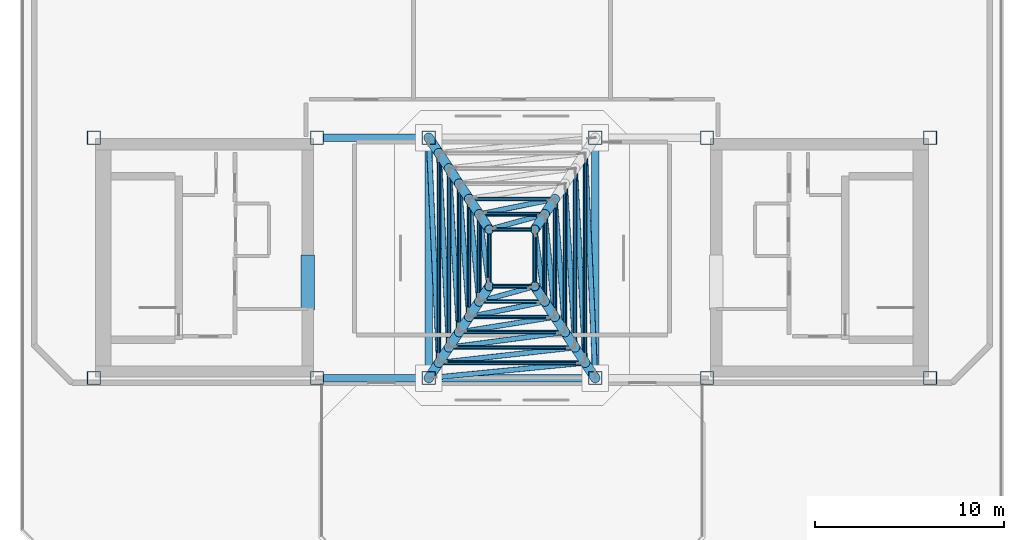
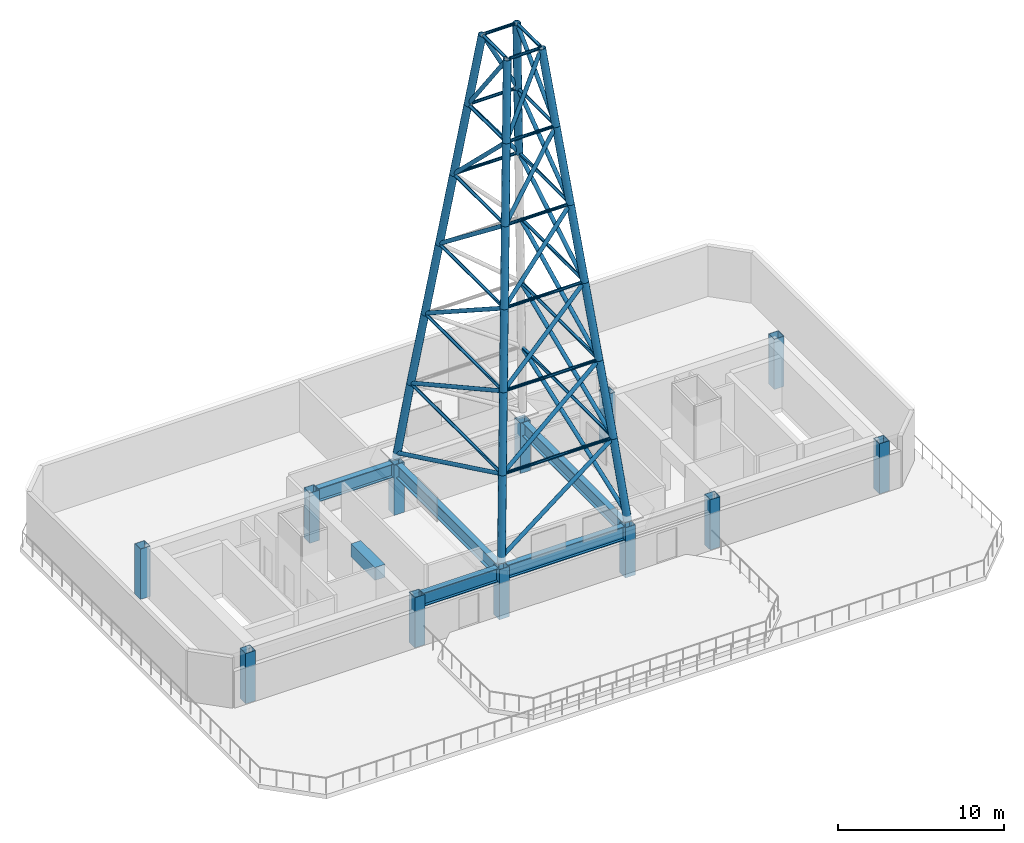
# One storey, part 1 of 7: 61 members, 12 columns, 6 beams.
"""IFC4 building model written with IfcOpenShell, lengths in metres."""

from ifc_helpers import new_model, si_unit, direction, frame, origin, origin_2d, place, context, subcontext, project, spatial, rectangle, hollow_rectangle, hollow_circle, i_section, extrude, material, material_profile, profile_set, type_object, element, save


model = new_model("IFC4")

# Units and contexts
model_context = context("Model", 3, precision=1e-05, world=origin(), true_north=direction((0.0, 1.0)))
body_context = subcontext(model_context, "Body", "Model", "MODEL_VIEW")
ifc_project = project(units=[si_unit("LENGTHUNIT", "METRE"), si_unit("AREAUNIT", "SQUARE_METRE"), si_unit("VOLUMEUNIT", "CUBIC_METRE"), si_unit("PLANEANGLEUNIT", "RADIAN"), si_unit("MASSUNIT", "GRAM", prefix="KILO")], contexts=[model_context])

# Site, building, storey
site_placement = place(None, origin())
site = spatial("IfcSite", under=ifc_project, at=site_placement, CompositionType="ELEMENT")
building_placement = place(site_placement, origin())
building = spatial("IfcBuilding", under=site, at=building_placement, Name="Tavrogorsk Clinical Tower", CompositionType="ELEMENT")
storey_placement = place(building_placement, frame((0.0, 0.0, 357.0)))
storey = spatial("IfcBuildingStorey", under=building, at=storey_placement, Name="L83", CompositionType="ELEMENT", Elevation=357.0)

# Columns
ifc_material_1 = material(Name="Structural steel S440", Category="steel")
ifc_material_profile_1 = material_profile(ifc_material_1, hollow_rectangle(XDim=0.699951171875, YDim=0.699951171875, WallThickness=0.031982421875, at=origin_2d()), Name="BOX-700x700x32")
ifc_profile_set_1 = profile_set([ifc_material_profile_1], Name="Structural steel S440")
column_type = type_object("IfcColumnType", Name="MegaCol_BOX700", PredefinedType="COLUMN", material=ifc_profile_set_1)
for number, where, z_axis, x_axis, name in (
    (1, (-22.10009765625, -6.35009765625, 0.0), (0.0, 0.0, 1.0), (1.0, 0.0, 0.0), "L83 Mega Column MC-W1"),
    (2, (-22.10009765625, 6.35009765625, 0.0), (0.0, 0.0, 1.0), (1.0, 0.0, 0.0), "L83 Mega Column MC-W2"),
    (3, (-10.300048828125, -6.35009765625, 0.0), (0.0, 0.0, 1.0), (1.0, 0.0, 0.0), "L83 Mega Column MC-W3"),
    (4, (-10.300048828125, 6.35009765625, 0.0), (0.0, 0.0, 1.0), (1.0, 0.0, 0.0), "L83 Mega Column MC-W4"),
    (5, (10.300048828125, -6.35009765625, 0.0), (0.0, 0.0, 1.0), (1.0, 0.0, 0.0), "L83 Mega Column MC-E1"),
    (6, (10.300048828125, 6.35009765625, 0.0), (0.0, 0.0, 1.0), (1.0, 0.0, 0.0), "L83 Mega Column MC-E2"),
    (7, (22.10009765625, -6.35009765625, 0.0), (0.0, 0.0, 1.0), (1.0, 0.0, 0.0), "L83 Mega Column MC-E3"),
    (8, (22.10009765625, 6.35009765625, 0.0), (0.0, 0.0, 1.0), (1.0, 0.0, 0.0), "L83 Mega Column MC-E4"),
    (9, (-4.39990234375, -6.35009765625, 0.0), (0.0, 0.0, 1.0), (1.0, 0.0, 0.0), "L83 Mega Column MC-C1"),
    (10, (4.39990234375, -6.35009765625, 0.0), (0.0, 0.0, 1.0), (1.0, 0.0, 0.0), "L83 Mega Column MC-C2"),
    (11, (-4.39990234375, 6.35009765625, 0.0), (0.0, 0.0, 1.0), (1.0, 0.0, 0.0), "L83 Mega Column MC-C3"),
    (12, (4.39990234375, 6.35009765625, 0.0), (0.0, 0.0, 1.0), (1.0, 0.0, 0.0), "L83 Mega Column MC-C4"),
):
    element("IfcColumn", number, at=place(storey_placement, frame(where, z_axis=z_axis, x_axis=x_axis)), inside=storey, type_object=column_type, Name=name, PredefinedType="COLUMN", context=body_context, shape_type="SweptSolid", body=[
        extrude(hollow_rectangle(XDim=0.699951171875, YDim=0.699951171875, WallThickness=0.031982421875, at=origin_2d()), origin(), (0.0, 0.0, 1.0), 3.699951171875),
    ])

# Beam
ifc_material_2 = material(Name="Concrete B80", Category="concrete")
ifc_material_profile_2 = material_profile(ifc_material_2, rectangle(XDim=0.699951171875, YDim=0.949951171875, at=origin_2d()), Name="RC-CB-700x950")
ifc_profile_set_2 = profile_set([ifc_material_profile_2], Name="Concrete B80")
beam_type_1 = type_object("IfcBeamType", Name="CouplingBeam_RC700x950", PredefinedType="LINTEL", material=ifc_profile_set_2)
beam_1_placement = place(storey_placement, frame((-10.800048828125, -2.75, 3.22509765625), z_axis=(0.0, 1.0, 0.0), x_axis=(-1.0, 0.0, 0.0)))
element("IfcBeam", 13, at=beam_1_placement, inside=storey, type_object=beam_type_1, Name="L83 Core West Coupling Beam", PredefinedType="LINTEL", context=body_context, shape_type="SweptSolid", body=[
    extrude(rectangle(XDim=0.699951171875, YDim=0.949951171875, at=origin_2d()), origin(), (0.0, 0.0, 1.0), 2.89990234375),
])

# Members
ifc_material_3 = material(Name="Structural steel S440", Category="steel")
ifc_material_profile_3 = material_profile(ifc_material_3, hollow_circle(Radius=0.136474609375, WallThickness=0.012451171875, at=origin_2d()), Name="CHS-273x12.5")
ifc_profile_set_3 = profile_set([ifc_material_profile_3], Name="Structural steel S440")
member_type_1 = type_object("IfcMemberType", Name="MastBrace_CHS273_MAST", PredefinedType="USERDEFINED", material=ifc_profile_set_3)
member_1_placement = place(storey_placement, frame((-4.2001953125, -6.33056640625, 4.431640625), z_axis=(0.832431285914, 0.081398677443, 0.54811714947), x_axis=(-0.097320091354, 0.995253133539, 0.0)))
element("IfcMember", 14, at=member_1_placement, inside=storey, type_object=member_type_1, Name="Broadcast Mast Diagonal Brace Tier 1 Face 1", ObjectType="MAST", PredefinedType="USERDEFINED", context=body_context, shape_type="SweptSolid", body=[
    extrude(hollow_circle(Radius=0.136474609375, WallThickness=0.012451171875, at=origin_2d()), origin(), (0.0, 0.0, 1.0), 9.450927734375),
])
for number, where, z_axis, x_axis, name in (
    (15, (4.39013671875, -6.132080078125, 4.39990234375), (-0.040737425965, 0.908518174211, 0.415854769425), (-0.998996226674, -0.044794409158, 0.0), "Broadcast Mast Diagonal Brace Tier 1 Face 2"),
    (16, (-4.39013671875, 6.132080078125, 4.39990234375), (0.040737425965, -0.908518174211, 0.415854769425), (0.998996226674, 0.044794409158, 0.0), "Broadcast Mast Diagonal Brace Tier 1 Face 4"),
):
    element("IfcMember", number, at=place(storey_placement, frame(where, z_axis=z_axis, x_axis=x_axis)), inside=storey, type_object=member_type_1, Name=name, ObjectType="MAST", PredefinedType="USERDEFINED", context=body_context, shape_type="SweptSolid", body=[
        extrude(hollow_circle(Radius=0.136474609375, WallThickness=0.012451171875, at=origin_2d()), origin(), (0.0, 0.0, 1.0), 12.609375),
    ])
member_2_placement = place(storey_placement, frame((-3.676025390625, -5.520263671875, 9.887451171875), z_axis=(0.794506902152, 0.089210986614, 0.600666448456), x_axis=(-0.111583510671, 0.993755060438, 0.0)))
element("IfcMember", 17, at=member_2_placement, inside=storey, type_object=member_type_1, Name="Broadcast Mast Diagonal Brace Tier 2 Face 1", ObjectType="MAST", PredefinedType="USERDEFINED", context=body_context, shape_type="SweptSolid", body=[
    extrude(hollow_circle(Radius=0.136474609375, WallThickness=0.012451171875, at=origin_2d()), origin(), (0.0, 0.0, 1.0), 8.582275390625),
])
for number, where, z_axis, x_axis, name in (
    (18, (3.855712890625, -5.329833984375, 9.85546875), (-0.045830620376, 0.882726187495, 0.467647337367), (-0.998654906369, -0.051849570738, 0.0), "Broadcast Mast Diagonal Brace Tier 2 Face 2"),
    (19, (-3.855712890625, 5.329833984375, 9.85546875), (0.045830620376, -0.882726187495, 0.467647337367), (0.998654906369, 0.051849570738, 0.0), "Broadcast Mast Diagonal Brace Tier 2 Face 4"),
):
    element("IfcMember", number, at=place(storey_placement, frame(where, z_axis=z_axis, x_axis=x_axis)), inside=storey, type_object=member_type_1, Name=name, ObjectType="MAST", PredefinedType="USERDEFINED", context=body_context, shape_type="SweptSolid", body=[
        extrude(hollow_circle(Radius=0.136474609375, WallThickness=0.012451171875, at=origin_2d()), origin(), (0.0, 0.0, 1.0), 11.16015625),
    ])
member_3_placement = place(storey_placement, frame((-3.154541015625, -4.709716796875, 15.34521484375), z_axis=(0.744309424169, 0.09809606833, 0.660591131088), x_axis=(-0.130664812929, 0.991426601752, 0.0)))
element("IfcMember", 20, at=member_3_placement, inside=storey, type_object=member_type_1, Name="Broadcast Mast Diagonal Brace Tier 3 Face 1", ObjectType="MAST", PredefinedType="USERDEFINED", context=body_context, shape_type="SweptSolid", body=[
    extrude(hollow_circle(Radius=0.136474609375, WallThickness=0.012451171875, at=origin_2d()), origin(), (0.0, 0.0, 1.0), 7.760009765625),
])
for number, where, z_axis, x_axis, name in (
    (21, (3.32080078125, -4.5302734375, 15.314208984375), (-0.052074172436, 0.84544244798, 0.53152172836), (-0.998108470681, -0.061477481686, 0.0), "Broadcast Mast Diagonal Brace Tier 3 Face 2"),
    (22, (-3.32080078125, 4.5302734375, 15.314208984375), (0.052074172436, -0.84544244798, 0.53152172836), (0.998108470681, 0.061477481686, 0.0), "Broadcast Mast Diagonal Brace Tier 3 Face 4"),
):
    element("IfcMember", number, at=place(storey_placement, frame(where, z_axis=z_axis, x_axis=x_axis)), inside=storey, type_object=member_type_1, Name=name, ObjectType="MAST", PredefinedType="USERDEFINED", context=body_context, shape_type="SweptSolid", body=[
        extrude(hollow_circle(Radius=0.136474609375, WallThickness=0.012451171875, at=origin_2d()), origin(), (0.0, 0.0, 1.0), 9.760986328125),
    ])
member_4_placement = place(storey_placement, frame((-2.637451171875, -3.899169921875, 20.8046875), z_axis=(0.677351605092, 0.108079117711, 0.727676925149), x_axis=(-0.157568101825, 0.98750812315, 0.0)))
element("IfcMember", 23, at=member_4_placement, inside=storey, type_object=member_type_1, Name="Broadcast Mast Diagonal Brace Tier 4 Face 1", ObjectType="MAST", PredefinedType="USERDEFINED", context=body_context, shape_type="SweptSolid", body=[
    extrude(hollow_circle(Radius=0.136474609375, WallThickness=0.012451171875, at=origin_2d()), origin(), (0.0, 0.0, 1.0), 7.000244140625),
])
for number, where, z_axis, x_axis, name in (
    (24, (2.78564453125, -3.7353515625, 20.776611328125), (-0.059818493812, 0.789766181007, 0.610484338158), (-0.997143855549, -0.075525699869, 0.0), "Broadcast Mast Diagonal Brace Tier 4 Face 2"),
    (25, (-2.78564453125, 3.7353515625, 20.776611328125), (0.059818493812, -0.789766181007, 0.610484338158), (0.997143855549, 0.075525699869, 0.0), "Broadcast Mast Diagonal Brace Tier 4 Face 4"),
):
    element("IfcMember", number, at=place(storey_placement, frame(where, z_axis=z_axis, x_axis=x_axis)), inside=storey, type_object=member_type_1, Name=name, ObjectType="MAST", PredefinedType="USERDEFINED", context=body_context, shape_type="SweptSolid", body=[
        extrude(hollow_circle(Radius=0.136474609375, WallThickness=0.012451171875, at=origin_2d()), origin(), (0.0, 0.0, 1.0), 8.436279296875),
    ])
member_5_placement = place(storey_placement, frame((-2.12548828125, -3.088134765625, 26.265380859375), z_axis=(0.587956892562, 0.118803740374, 0.800120218319), x_axis=(-0.198059156867, 0.980190068498, 0.0)))
element("IfcMember", 26, at=member_5_placement, inside=storey, type_object=member_type_1, Name="Broadcast Mast Diagonal Brace Tier 5 Face 1", ObjectType="MAST", PredefinedType="USERDEFINED", context=body_context, shape_type="SweptSolid", body=[
    extrude(hollow_circle(Radius=0.136474609375, WallThickness=0.012451171875, at=origin_2d()), origin(), (0.0, 0.0, 1.0), 6.3232421875),
])
member_6_placement = place(storey_placement, frame((2.25, -2.94775390625, 26.242919921875), z_axis=(-0.069216152132, 0.704227032213, 0.706592818662), x_axis=(-0.995204578138, -0.097815375343, 0.0)))
element("IfcMember", 27, at=member_6_placement, inside=storey, type_object=member_type_1, Name="Broadcast Mast Diagonal Brace Tier 5 Face 2", ObjectType="MAST", PredefinedType="USERDEFINED", context=body_context, shape_type="SweptSolid", body=[
    extrude(hollow_circle(Radius=0.136474609375, WallThickness=0.012451171875, at=origin_2d()), origin(), (0.0, 0.0, 1.0), 7.2236328125),
])
member_7_placement = place(storey_placement, frame((2.12548828125, 3.088134765625, 26.265380859375), z_axis=(-0.587956892562, -0.118803740374, 0.800120218319), x_axis=(0.198059156867, -0.980190068498, 0.0)))
element("IfcMember", 28, at=member_7_placement, inside=storey, type_object=member_type_1, Name="Broadcast Mast Diagonal Brace Tier 5 Face 3", ObjectType="MAST", PredefinedType="USERDEFINED", context=body_context, shape_type="SweptSolid", body=[
    extrude(hollow_circle(Radius=0.136474609375, WallThickness=0.012451171875, at=origin_2d()), origin(), (0.0, 0.0, 1.0), 6.3232421875),
])
member_8_placement = place(storey_placement, frame((-2.25, 2.94775390625, 26.242919921875), z_axis=(0.069216152132, -0.704227032213, 0.706592818662), x_axis=(0.995204578138, 0.097815375343, 0.0)))
element("IfcMember", 29, at=member_8_placement, inside=storey, type_object=member_type_1, Name="Broadcast Mast Diagonal Brace Tier 5 Face 4", ObjectType="MAST", PredefinedType="USERDEFINED", context=body_context, shape_type="SweptSolid", body=[
    extrude(hollow_circle(Radius=0.136474609375, WallThickness=0.012451171875, at=origin_2d()), origin(), (0.0, 0.0, 1.0), 7.2236328125),
])
member_9_placement = place(storey_placement, frame((-1.620361328125, -2.277099609375, 31.72607421875), z_axis=(0.470378447317, 0.129619164563, 0.87289345769), x_axis=(-0.265661566572, 0.964066352513, 0.0)))
element("IfcMember", 30, at=member_9_placement, inside=storey, type_object=member_type_1, Name="Broadcast Mast Diagonal Brace Tier 6 Face 1", ObjectType="MAST", PredefinedType="USERDEFINED", context=body_context, shape_type="SweptSolid", body=[
    extrude(hollow_circle(Radius=0.136474609375, WallThickness=0.012451171875, at=origin_2d()), origin(), (0.0, 0.0, 1.0), 5.756103515625),
])
member_10_placement = place(storey_placement, frame((1.714111328125, -2.171142578125, 31.712646484375), z_axis=(-0.080017354995, 0.571411550843, 0.816753366974), x_axis=(-0.990337048975, -0.13868139539, 0.0)))
element("IfcMember", 31, at=member_10_placement, inside=storey, type_object=member_type_1, Name="Broadcast Mast Diagonal Brace Tier 6 Face 2", ObjectType="MAST", PredefinedType="USERDEFINED", context=body_context, shape_type="SweptSolid", body=[
    extrude(hollow_circle(Radius=0.136474609375, WallThickness=0.012451171875, at=origin_2d()), origin(), (0.0, 0.0, 1.0), 6.1845703125),
])
member_11_placement = place(storey_placement, frame((1.620361328125, 2.277099609375, 31.72607421875), z_axis=(-0.470378447317, -0.129619164563, 0.87289345769), x_axis=(0.265661566572, -0.964066352513, 0.0)))
element("IfcMember", 32, at=member_11_placement, inside=storey, type_object=member_type_1, Name="Broadcast Mast Diagonal Brace Tier 6 Face 3", ObjectType="MAST", PredefinedType="USERDEFINED", context=body_context, shape_type="SweptSolid", body=[
    extrude(hollow_circle(Radius=0.136474609375, WallThickness=0.012451171875, at=origin_2d()), origin(), (0.0, 0.0, 1.0), 5.756103515625),
])
member_12_placement = place(storey_placement, frame((-1.714111328125, 2.171142578125, 31.712646484375), z_axis=(0.080017354995, -0.571411550843, 0.816753366974), x_axis=(0.990337048975, 0.13868139539, 0.0)))
element("IfcMember", 33, at=member_12_placement, inside=storey, type_object=member_type_1, Name="Broadcast Mast Diagonal Brace Tier 6 Face 4", ObjectType="MAST", PredefinedType="USERDEFINED", context=body_context, shape_type="SweptSolid", body=[
    extrude(hollow_circle(Radius=0.136474609375, WallThickness=0.012451171875, at=origin_2d()), origin(), (0.0, 0.0, 1.0), 6.1845703125),
])
ifc_material_4 = material(Name="Structural steel S440", Category="steel")
ifc_material_profile_4 = material_profile(ifc_material_4, hollow_circle(Radius=0.109619140625, WallThickness=0.010009765625, at=origin_2d()), Name="CHS-219.1x10")
ifc_profile_set_4 = profile_set([ifc_material_profile_4], Name="Structural steel S440")
member_type_2 = type_object("IfcMemberType", Name="MastGirt_CHS219_MAST", PredefinedType="USERDEFINED", material=ifc_profile_set_4)
member_13_placement = place(storey_placement, frame((-3.686767578125, -5.541748046875, 9.743408203125), z_axis=(1.0, 0.0, 0.0), x_axis=(0.0, 1.0, 0.0)))
element("IfcMember", 34, at=member_13_placement, inside=storey, type_object=member_type_2, Name="Broadcast Mast Ring Girt Tier 1 Face 1", ObjectType="MAST", PredefinedType="USERDEFINED", context=body_context, shape_type="SweptSolid", body=[
    extrude(hollow_circle(Radius=0.109619140625, WallThickness=0.010009765625, at=origin_2d()), origin(), (0.0, 0.0, 1.0), 7.37353515625),
])
for number, where, z_axis, x_axis, name in (
    (35, (3.86669921875, -5.36181640625, 9.743408203125), (0.0, 1.0, 0.0), (-1.0, 0.0, 0.0), "Broadcast Mast Ring Girt Tier 1 Face 2"),
    (36, (-3.86669921875, 5.36181640625, 9.743408203125), (0.0, -1.0, 0.0), (1.0, 0.0, 0.0), "Broadcast Mast Ring Girt Tier 1 Face 4"),
):
    element("IfcMember", number, at=place(storey_placement, frame(where, z_axis=z_axis, x_axis=x_axis)), inside=storey, type_object=member_type_2, Name=name, ObjectType="MAST", PredefinedType="USERDEFINED", context=body_context, shape_type="SweptSolid", body=[
        extrude(hollow_circle(Radius=0.109619140625, WallThickness=0.010009765625, at=origin_2d()), origin(), (0.0, 0.0, 1.0), 10.7236328125),
    ])
member_14_placement = place(storey_placement, frame((-3.1533203125, -4.7333984375, 15.186767578125), z_axis=(1.0, 0.0, 0.0), x_axis=(0.0, 1.0, 0.0)))
element("IfcMember", 37, at=member_14_placement, inside=storey, type_object=member_type_2, Name="Broadcast Mast Ring Girt Tier 2 Face 1", ObjectType="MAST", PredefinedType="USERDEFINED", context=body_context, shape_type="SweptSolid", body=[
    extrude(hollow_circle(Radius=0.109619140625, WallThickness=0.010009765625, at=origin_2d()), origin(), (0.0, 0.0, 1.0), 6.306640625),
])
for number, where, z_axis, x_axis, name in (
    (38, (3.333251953125, -4.55322265625, 15.186767578125), (0.0, 1.0, 0.0), (-1.0, 0.0, 0.0), "Broadcast Mast Ring Girt Tier 2 Face 2"),
    (39, (-3.333251953125, 4.55322265625, 15.186767578125), (0.0, -1.0, 0.0), (1.0, 0.0, 0.0), "Broadcast Mast Ring Girt Tier 2 Face 4"),
):
    element("IfcMember", number, at=place(storey_placement, frame(where, z_axis=z_axis, x_axis=x_axis)), inside=storey, type_object=member_type_2, Name=name, ObjectType="MAST", PredefinedType="USERDEFINED", context=body_context, shape_type="SweptSolid", body=[
        extrude(hollow_circle(Radius=0.109619140625, WallThickness=0.010009765625, at=origin_2d()), origin(), (0.0, 0.0, 1.0), 9.1064453125),
    ])
member_15_placement = place(storey_placement, frame((-2.6201171875, -3.925048828125, 20.6298828125), z_axis=(1.0, 0.0, 0.0), x_axis=(0.0, 1.0, 0.0)))
element("IfcMember", 40, at=member_15_placement, inside=storey, type_object=member_type_2, Name="Broadcast Mast Ring Girt Tier 3 Face 1", ObjectType="MAST", PredefinedType="USERDEFINED", context=body_context, shape_type="SweptSolid", body=[
    extrude(hollow_circle(Radius=0.109619140625, WallThickness=0.010009765625, at=origin_2d()), origin(), (0.0, 0.0, 1.0), 5.240234375),
])
for number, where, z_axis, x_axis, name in (
    (41, (2.800048828125, -3.7451171875, 20.6298828125), (0.0, 1.0, 0.0), (-1.0, 0.0, 0.0), "Broadcast Mast Ring Girt Tier 3 Face 2"),
    (42, (-2.800048828125, 3.7451171875, 20.6298828125), (0.0, -1.0, 0.0), (1.0, 0.0, 0.0), "Broadcast Mast Ring Girt Tier 3 Face 4"),
):
    element("IfcMember", number, at=place(storey_placement, frame(where, z_axis=z_axis, x_axis=x_axis)), inside=storey, type_object=member_type_2, Name=name, ObjectType="MAST", PredefinedType="USERDEFINED", context=body_context, shape_type="SweptSolid", body=[
        extrude(hollow_circle(Radius=0.109619140625, WallThickness=0.010009765625, at=origin_2d()), origin(), (0.0, 0.0, 1.0), 7.490234375),
    ])
member_16_placement = place(storey_placement, frame((-2.086669921875, -3.11669921875, 26.0732421875), z_axis=(1.0, 0.0, 0.0), x_axis=(0.0, 1.0, 0.0)))
element("IfcMember", 43, at=member_16_placement, inside=storey, type_object=member_type_2, Name="Broadcast Mast Ring Girt Tier 4 Face 1", ObjectType="MAST", PredefinedType="USERDEFINED", context=body_context, shape_type="SweptSolid", body=[
    extrude(hollow_circle(Radius=0.109619140625, WallThickness=0.010009765625, at=origin_2d()), origin(), (0.0, 0.0, 1.0), 4.17333984375),
])
member_17_placement = place(storey_placement, frame((2.2666015625, -2.936767578125, 26.0732421875), z_axis=(0.0, 1.0, 0.0), x_axis=(-1.0, 0.0, 0.0)))
element("IfcMember", 44, at=member_17_placement, inside=storey, type_object=member_type_2, Name="Broadcast Mast Ring Girt Tier 4 Face 2", ObjectType="MAST", PredefinedType="USERDEFINED", context=body_context, shape_type="SweptSolid", body=[
    extrude(hollow_circle(Radius=0.109619140625, WallThickness=0.010009765625, at=origin_2d()), origin(), (0.0, 0.0, 1.0), 5.87353515625),
])
member_18_placement = place(storey_placement, frame((2.086669921875, 3.11669921875, 26.0732421875), z_axis=(-1.0, 0.0, 0.0), x_axis=(0.0, -1.0, 0.0)))
element("IfcMember", 45, at=member_18_placement, inside=storey, type_object=member_type_2, Name="Broadcast Mast Ring Girt Tier 4 Face 3", ObjectType="MAST", PredefinedType="USERDEFINED", context=body_context, shape_type="SweptSolid", body=[
    extrude(hollow_circle(Radius=0.109619140625, WallThickness=0.010009765625, at=origin_2d()), origin(), (0.0, 0.0, 1.0), 4.17333984375),
])
member_19_placement = place(storey_placement, frame((-2.2666015625, 2.936767578125, 26.0732421875), z_axis=(0.0, -1.0, 0.0), x_axis=(1.0, 0.0, 0.0)))
element("IfcMember", 46, at=member_19_placement, inside=storey, type_object=member_type_2, Name="Broadcast Mast Ring Girt Tier 4 Face 4", ObjectType="MAST", PredefinedType="USERDEFINED", context=body_context, shape_type="SweptSolid", body=[
    extrude(hollow_circle(Radius=0.109619140625, WallThickness=0.010009765625, at=origin_2d()), origin(), (0.0, 0.0, 1.0), 5.87353515625),
])
member_20_placement = place(storey_placement, frame((-1.55322265625, -2.308349609375, 31.5166015625), z_axis=(1.0, 0.0, 0.0), x_axis=(0.0, 1.0, 0.0)))
element("IfcMember", 47, at=member_20_placement, inside=storey, type_object=member_type_2, Name="Broadcast Mast Ring Girt Tier 5 Face 1", ObjectType="MAST", PredefinedType="USERDEFINED", context=body_context, shape_type="SweptSolid", body=[
    extrude(hollow_circle(Radius=0.109619140625, WallThickness=0.010009765625, at=origin_2d()), origin(), (0.0, 0.0, 1.0), 3.1064453125),
])
member_21_placement = place(storey_placement, frame((1.7333984375, -2.12841796875, 31.5166015625), z_axis=(0.0, 1.0, 0.0), x_axis=(-1.0, 0.0, 0.0)))
element("IfcMember", 48, at=member_21_placement, inside=storey, type_object=member_type_2, Name="Broadcast Mast Ring Girt Tier 5 Face 2", ObjectType="MAST", PredefinedType="USERDEFINED", context=body_context, shape_type="SweptSolid", body=[
    extrude(hollow_circle(Radius=0.109619140625, WallThickness=0.010009765625, at=origin_2d()), origin(), (0.0, 0.0, 1.0), 4.2568359375),
])
member_22_placement = place(storey_placement, frame((1.55322265625, 2.308349609375, 31.5166015625), z_axis=(-1.0, 0.0, 0.0), x_axis=(0.0, -1.0, 0.0)))
element("IfcMember", 49, at=member_22_placement, inside=storey, type_object=member_type_2, Name="Broadcast Mast Ring Girt Tier 5 Face 3", ObjectType="MAST", PredefinedType="USERDEFINED", context=body_context, shape_type="SweptSolid", body=[
    extrude(hollow_circle(Radius=0.109619140625, WallThickness=0.010009765625, at=origin_2d()), origin(), (0.0, 0.0, 1.0), 3.1064453125),
])
member_23_placement = place(storey_placement, frame((-1.7333984375, 2.12841796875, 31.5166015625), z_axis=(0.0, -1.0, 0.0), x_axis=(1.0, 0.0, 0.0)))
element("IfcMember", 50, at=member_23_placement, inside=storey, type_object=member_type_2, Name="Broadcast Mast Ring Girt Tier 5 Face 4", ObjectType="MAST", PredefinedType="USERDEFINED", context=body_context, shape_type="SweptSolid", body=[
    extrude(hollow_circle(Radius=0.109619140625, WallThickness=0.010009765625, at=origin_2d()), origin(), (0.0, 0.0, 1.0), 4.2568359375),
])
member_24_placement = place(storey_placement, frame((-1.02001953125, -1.5, 36.9599609375), z_axis=(1.0, 0.0, 0.0), x_axis=(0.0, 1.0, 0.0)))
element("IfcMember", 51, at=member_24_placement, inside=storey, type_object=member_type_2, Name="Broadcast Mast Ring Girt Tier 6 Face 1", ObjectType="MAST", PredefinedType="USERDEFINED", context=body_context, shape_type="SweptSolid", body=[
    extrude(hollow_circle(Radius=0.109619140625, WallThickness=0.010009765625, at=origin_2d()), origin(), (0.0, 0.0, 1.0), 2.0400390625),
])
member_25_placement = place(storey_placement, frame((1.199951171875, -1.320068359375, 36.9599609375), z_axis=(0.0, 1.0, 0.0), x_axis=(-1.0, 0.0, 0.0)))
element("IfcMember", 52, at=member_25_placement, inside=storey, type_object=member_type_2, Name="Broadcast Mast Ring Girt Tier 6 Face 2", ObjectType="MAST", PredefinedType="USERDEFINED", context=body_context, shape_type="SweptSolid", body=[
    extrude(hollow_circle(Radius=0.109619140625, WallThickness=0.010009765625, at=origin_2d()), origin(), (0.0, 0.0, 1.0), 2.64013671875),
])
member_26_placement = place(storey_placement, frame((1.02001953125, 1.5, 36.9599609375), z_axis=(-1.0, 0.0, 0.0), x_axis=(0.0, -1.0, 0.0)))
element("IfcMember", 53, at=member_26_placement, inside=storey, type_object=member_type_2, Name="Broadcast Mast Ring Girt Tier 6 Face 3", ObjectType="MAST", PredefinedType="USERDEFINED", context=body_context, shape_type="SweptSolid", body=[
    extrude(hollow_circle(Radius=0.109619140625, WallThickness=0.010009765625, at=origin_2d()), origin(), (0.0, 0.0, 1.0), 2.0400390625),
])
member_27_placement = place(storey_placement, frame((-1.199951171875, 1.320068359375, 36.9599609375), z_axis=(0.0, -1.0, 0.0), x_axis=(1.0, 0.0, 0.0)))
element("IfcMember", 54, at=member_27_placement, inside=storey, type_object=member_type_2, Name="Broadcast Mast Ring Girt Tier 6 Face 4", ObjectType="MAST", PredefinedType="USERDEFINED", context=body_context, shape_type="SweptSolid", body=[
    extrude(hollow_circle(Radius=0.109619140625, WallThickness=0.010009765625, at=origin_2d()), origin(), (0.0, 0.0, 1.0), 2.64013671875),
])
ifc_material_5 = material(Name="Structural steel S440", Category="steel")
ifc_material_profile_5 = material_profile(ifc_material_5, hollow_circle(Radius=0.25390625, WallThickness=0.02001953125, at=origin_2d()), Name="CHS-508x20")
ifc_profile_set_5 = profile_set([ifc_material_profile_5], Name="Structural steel S440")
member_type_3 = type_object("IfcMemberType", Name="MastLeg_CHS508_MAST", PredefinedType="USERDEFINED", material=ifc_profile_set_5)
for number, where, z_axis, x_axis, name in (
    (55, (-4.39990234375, -6.35009765625, 3.9599609375), (0.090928887162, 0.137850524447, 0.986270333321), (-0.834755420347, 0.550620911518, 0.0), "Broadcast Mast Leg Tier 1 Leg 1"),
    (56, (4.39990234375, -6.35009765625, 3.9599609375), (-0.090928887162, 0.137850524447, 0.986270333321), (-0.834755420347, -0.550620911518, 0.0), "Broadcast Mast Leg Tier 1 Leg 2"),
    (57, (-4.39990234375, 6.35009765625, 3.9599609375), (0.090928887162, -0.137850524447, 0.986270333321), (0.834755420347, 0.550620911518, 0.0), "Broadcast Mast Leg Tier 1 Leg 4"),
):
    element("IfcMember", number, at=place(storey_placement, frame(where, z_axis=z_axis, x_axis=x_axis)), inside=storey, type_object=member_type_3, Name=name, ObjectType="MAST", PredefinedType="USERDEFINED", context=body_context, shape_type="SweptSolid", body=[
        extrude(hollow_circle(Radius=0.25390625, WallThickness=0.02001953125, at=origin_2d()), origin(), (0.0, 0.0, 1.0), 5.864013671875),
    ])
for number, where, z_axis, x_axis, name in (
    (58, (-3.86669921875, -5.541748046875, 9.723388671875), (0.096141591018, 0.14568641092, 0.984648294646), (-0.834639537011, 0.550796553419, 0.0), "Broadcast Mast Leg Tier 2 Leg 1"),
    (59, (3.86669921875, -5.541748046875, 9.723388671875), (-0.096141591018, 0.14568641092, 0.984648294646), (-0.834639537011, -0.550796553419, 0.0), "Broadcast Mast Leg Tier 2 Leg 2"),
    (60, (-3.86669921875, 5.541748046875, 9.723388671875), (0.096141591018, -0.14568641092, 0.984648294646), (0.834639537011, 0.550796553419, 0.0), "Broadcast Mast Leg Tier 2 Leg 4"),
):
    element("IfcMember", number, at=place(storey_placement, frame(where, z_axis=z_axis, x_axis=x_axis)), inside=storey, type_object=member_type_3, Name=name, ObjectType="MAST", PredefinedType="USERDEFINED", context=body_context, shape_type="SweptSolid", body=[
        extrude(hollow_circle(Radius=0.25390625, WallThickness=0.02001953125, at=origin_2d()), origin(), (0.0, 0.0, 1.0), 5.548583984375),
    ])
for number, where, z_axis, x_axis, name in (
    (61, (-3.333251953125, -4.7333984375, 15.166748046875), (0.096102160403, 0.145693339329, 0.984651118743), (-0.834755420347, 0.550620911518, 0.0), "Broadcast Mast Leg Tier 3 Leg 1"),
    (62, (3.333251953125, -4.7333984375, 15.166748046875), (-0.096102160403, 0.145693339329, 0.984651118743), (-0.834755420347, -0.550620911518, 0.0), "Broadcast Mast Leg Tier 3 Leg 2"),
    (63, (-3.333251953125, 4.7333984375, 15.166748046875), (0.096102160403, -0.145693339329, 0.984651118743), (0.834755420347, 0.550620911518, 0.0), "Broadcast Mast Leg Tier 3 Leg 4"),
    (64, (-2.800048828125, -3.925048828125, 20.610107421875), (0.096145756553, 0.145692723088, 0.984646953957), (-0.834639537011, 0.550796553419, 0.0), "Broadcast Mast Leg Tier 4 Leg 1"),
    (65, (2.800048828125, -3.925048828125, 20.610107421875), (-0.096145756553, 0.145692723088, 0.984646953957), (-0.834639537011, -0.550796553419, 0.0), "Broadcast Mast Leg Tier 4 Leg 2"),
    (66, (-2.800048828125, 3.925048828125, 20.610107421875), (0.096145756553, -0.145692723088, 0.984646953957), (0.834639537011, 0.550796553419, 0.0), "Broadcast Mast Leg Tier 4 Leg 4"),
):
    element("IfcMember", number, at=place(storey_placement, frame(where, z_axis=z_axis, x_axis=x_axis)), inside=storey, type_object=member_type_3, Name=name, ObjectType="MAST", PredefinedType="USERDEFINED", context=body_context, shape_type="SweptSolid", body=[
        extrude(hollow_circle(Radius=0.25390625, WallThickness=0.02001953125, at=origin_2d()), origin(), (0.0, 0.0, 1.0), 5.54833984375),
    ])
for number, where, z_axis, x_axis, name in (
    (67, (-2.2666015625, -3.11669921875, 26.05322265625), (0.096097996721, 0.14568702708, 0.984652459077), (-0.834755420347, 0.550620911518, 0.0), "Broadcast Mast Leg Tier 5 Leg 1"),
    (68, (2.2666015625, -3.11669921875, 26.05322265625), (-0.096097996721, 0.14568702708, 0.984652459077), (-0.834755420347, -0.550620911518, 0.0), "Broadcast Mast Leg Tier 5 Leg 2"),
    (69, (2.2666015625, 3.11669921875, 26.05322265625), (-0.096097996721, -0.14568702708, 0.984652459077), (0.834755420347, -0.550620911518, 0.0), "Broadcast Mast Leg Tier 5 Leg 3"),
    (70, (-2.2666015625, 3.11669921875, 26.05322265625), (0.096097996721, -0.14568702708, 0.984652459077), (0.834755420347, 0.550620911518, 0.0), "Broadcast Mast Leg Tier 5 Leg 4"),
    (71, (-1.7333984375, -2.308349609375, 31.49658203125), (0.096141591018, 0.14568641092, 0.984648294646), (-0.834639537011, 0.550796553419, 0.0), "Broadcast Mast Leg Tier 6 Leg 1"),
    (72, (1.7333984375, -2.308349609375, 31.49658203125), (-0.096141591018, 0.14568641092, 0.984648294646), (-0.834639537011, -0.550796553419, 0.0), "Broadcast Mast Leg Tier 6 Leg 2"),
    (73, (1.7333984375, 2.308349609375, 31.49658203125), (-0.096141591018, -0.14568641092, 0.984648294646), (0.834639537011, -0.550796553419, 0.0), "Broadcast Mast Leg Tier 6 Leg 3"),
    (74, (-1.7333984375, 2.308349609375, 31.49658203125), (0.096141591018, -0.14568641092, 0.984648294646), (0.834639537011, 0.550796553419, 0.0), "Broadcast Mast Leg Tier 6 Leg 4"),
):
    element("IfcMember", number, at=place(storey_placement, frame(where, z_axis=z_axis, x_axis=x_axis)), inside=storey, type_object=member_type_3, Name=name, ObjectType="MAST", PredefinedType="USERDEFINED", context=body_context, shape_type="SweptSolid", body=[
        extrude(hollow_circle(Radius=0.25390625, WallThickness=0.02001953125, at=origin_2d()), origin(), (0.0, 0.0, 1.0), 5.548583984375),
    ])

# Beams
ifc_material_6 = material(Name="Structural steel S440", Category="steel")
ifc_material_profile_6 = material_profile(ifc_material_6, i_section(OverallWidth=0.39990234375, OverallDepth=1.0, WebThickness=0.028076171875, FlangeThickness=0.044921875, at=origin_2d()), Name="DK-1000x400x28x45")
ifc_profile_set_6 = profile_set([ifc_material_profile_6], Name="Structural steel S440")
beam_type_2 = type_object("IfcBeamType", Name="TransferGirder_DK1000", PredefinedType="USERDEFINED", material=ifc_profile_set_6)
for number, where, z_axis, x_axis, name in (
    (75, (-9.989990234375, -6.35009765625, 3.199951171875), (1.0, 0.0, 0.0), (0.0, 1.0, 0.0), "L83 Primary Spine Girder MG-01"),
    (76, (-9.989990234375, 6.35009765625, 3.199951171875), (1.0, 0.0, 0.0), (0.0, 1.0, 0.0), "L83 Primary Spine Girder MG-02"),
):
    element("IfcBeam", number, at=place(storey_placement, frame(where, z_axis=z_axis, x_axis=x_axis)), inside=storey, type_object=beam_type_2, Name=name, ObjectType="GIRDER", PredefinedType="USERDEFINED", context=body_context, shape_type="SweptSolid", body=[
        extrude(i_section(OverallWidth=0.39990234375, OverallDepth=1.0, WebThickness=0.028076171875, FlangeThickness=0.044921875, at=origin_2d()), origin(), (0.0, 0.0, 1.0), 5.280029296875),
    ])
beam_2_placement = place(storey_placement, frame((-4.090087890625, -6.35009765625, 3.199951171875), z_axis=(1.0, 0.0, 0.0), x_axis=(0.0, 1.0, 0.0)))
element("IfcBeam", 77, at=beam_2_placement, inside=storey, type_object=beam_type_2, Name="L83 Primary Spine Girder MG-03", ObjectType="GIRDER", PredefinedType="USERDEFINED", context=body_context, shape_type="SweptSolid", body=[
    extrude(i_section(OverallWidth=0.39990234375, OverallDepth=1.0, WebThickness=0.028076171875, FlangeThickness=0.044921875, at=origin_2d()), origin(), (0.0, 0.0, 1.0), 8.18017578125),
])
for number, where, z_axis, x_axis, name in (
    (78, (-4.39990234375, -6.0400390625, 3.199951171875), (0.0, 1.0, 0.0), (-1.0, 0.0, 0.0), "L83 Primary Spine Girder MG-07"),
    (79, (4.39990234375, -6.0400390625, 3.199951171875), (0.0, 1.0, 0.0), (-1.0, 0.0, 0.0), "L83 Primary Spine Girder MG-08"),
):
    element("IfcBeam", number, at=place(storey_placement, frame(where, z_axis=z_axis, x_axis=x_axis)), inside=storey, type_object=beam_type_2, Name=name, ObjectType="GIRDER", PredefinedType="USERDEFINED", context=body_context, shape_type="SweptSolid", body=[
        extrude(i_section(OverallWidth=0.39990234375, OverallDepth=1.0, WebThickness=0.028076171875, FlangeThickness=0.044921875, at=origin_2d()), origin(), (0.0, 0.0, 1.0), 12.080078125),
    ])

save(model, "model.ifc")
